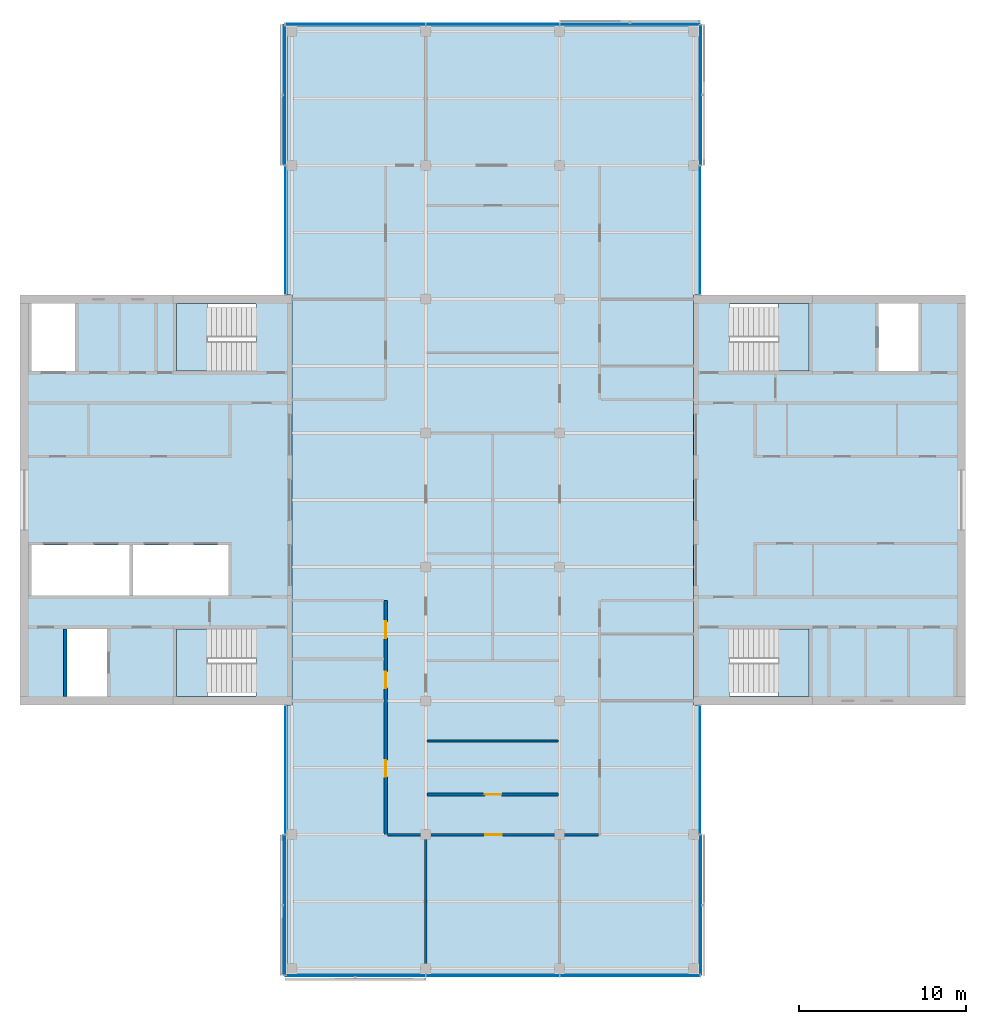
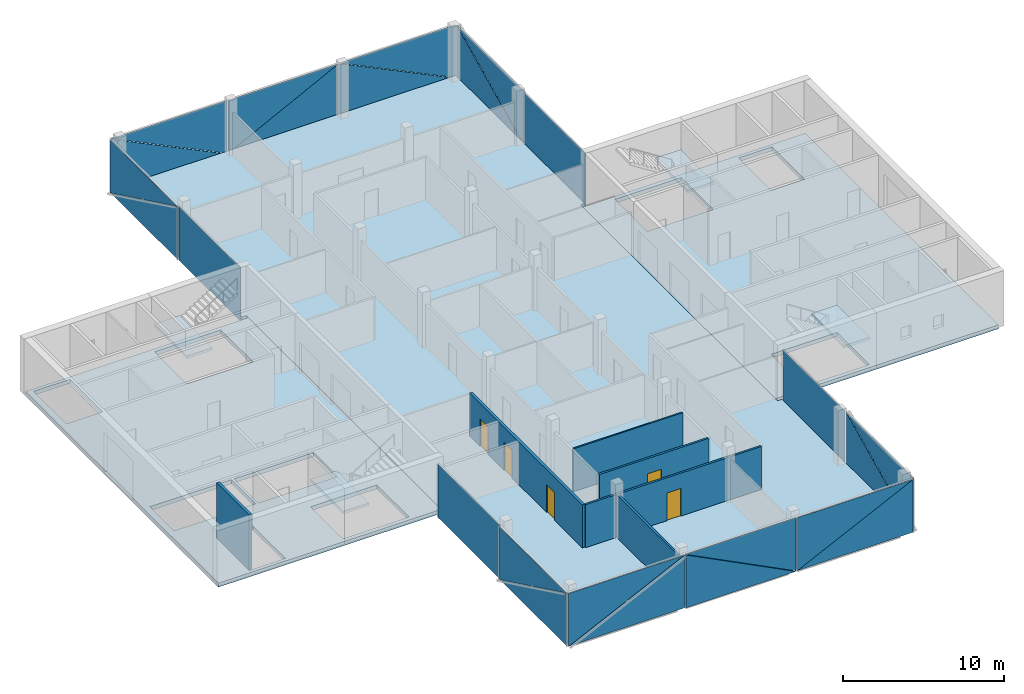
# One storey, part 8 of 16: 24 plates, 7 slabs, 6 walls, 5 doors, 5 openings, 14 elements without a shape of their own.
"""IFC4 building model written with IfcOpenShell, lengths in metres."""

from ifc_helpers import new_model, si_unit, direction, frame, frame_2d, origin, place, context, subcontext, project, spatial, polyline, rectangle, outline, extrude, material, layer, layer_set, type_object, element, fill, aggregate, save


model = new_model("IFC4")

# Units and contexts
model_context = context("Model", 3, precision=1e-05, world=origin(), true_north=direction((0.0, 1.0)))
body_context = subcontext(model_context, "Body", "Model", "MODEL_VIEW")
ifc_project = project(units=[si_unit("LENGTHUNIT", "METRE"), si_unit("AREAUNIT", "SQUARE_METRE"), si_unit("VOLUMEUNIT", "CUBIC_METRE"), si_unit("PLANEANGLEUNIT", "RADIAN"), si_unit("MASSUNIT", "GRAM", prefix="KILO")], contexts=[model_context])

# Site, building, storey
site_placement = place(None, origin())
site = spatial("IfcSite", under=ifc_project, at=site_placement, CompositionType="ELEMENT")
building_placement = place(site_placement, origin())
building = spatial("IfcBuilding", under=site, at=building_placement, Name="Crosswind Convention Tower", CompositionType="ELEMENT")
storey_placement = place(building_placement, frame((0.0, 0.0, 299.699951171875)))
storey = spatial("IfcBuildingStorey", under=building, at=storey_placement, Name="L65", CompositionType="ELEMENT", Elevation=299.699951171875)

# Slabs
ifc_material_1 = material(Name="Concrete C40/50", Category="concrete")
ifc_layer_1 = layer(ifc_material_1, 0.300048828125)
ifc_layer_set_1 = layer_set([ifc_layer_1], Name="Concrete C40/50")
slab_type_1 = type_object("IfcSlabType", Name="Composite floor slab 300", PredefinedType="FLOOR", material=ifc_layer_set_1)
slab_1_placement = place(storey_placement, frame((0.0, 0.0, -0.300048828125)))
element("IfcSlab", 1, at=slab_1_placement, inside=storey, type_object=slab_type_1, Name="Floor slab L65", PredefinedType="FLOOR", context=body_context, shape_type="SweptSolid", body=[
    extrude(outline(polyline([(137.300048828125, 71.699951171875), (137.0, 71.699951171875), (113.0, 71.699951171875), (112.699951171875, 71.699951171875), (112.699951171875, 72.0), (112.699951171875, 87.75), (113.0, 87.75), (113.0, 112.25), (112.699951171875, 112.25), (112.699951171875, 128.0), (112.699951171875, 128.300048828125), (113.0, 128.300048828125), (137.0, 128.300048828125), (137.300048828125, 128.300048828125), (137.300048828125, 128.0), (137.300048828125, 112.25), (137.0, 112.25), (137.0, 87.75), (137.300048828125, 87.75), (137.300048828125, 72.0), (137.300048828125, 71.699951171875)])), origin(), (0.0, 0.0, 1.0), 0.300048828125),
])
ifc_layer_2 = layer(ifc_material_1, 0.300048828125)
ifc_layer_set_2 = layer_set([ifc_layer_2], Name="Concrete C40/50")
slab_type_2 = type_object("IfcSlabType", Name="Concrete core floor slab 300", PredefinedType="FLOOR", material=ifc_layer_set_2)
slab_2_placement = place(storey_placement, frame((0.0, 0.0, -0.300048828125)))
element("IfcSlab", 2, at=slab_2_placement, inside=storey, type_object=slab_type_2, Name="Core floor slab E L65", PredefinedType="FLOOR", context=body_context, shape_type="SweptSolid", body=[
    extrude(outline(polyline([(137.0, 88.0), (153.0, 88.0), (153.0, 112.0), (137.0, 112.0), (137.0, 88.0)]), holes=[polyline([(150.449951171875, 107.699951171875), (150.449951171875, 111.75), (148.050048828125, 111.75), (148.050048828125, 107.699951171875), (150.449951171875, 107.699951171875)]), polyline([(143.89990234375, 107.699951171875), (143.89990234375, 111.699951171875), (139.14990234375, 111.699951171875), (139.14990234375, 107.699951171875), (143.89990234375, 107.699951171875)]), polyline([(143.89990234375, 88.300048828125), (143.89990234375, 92.300048828125), (139.14990234375, 92.300048828125), (139.14990234375, 88.300048828125), (143.89990234375, 88.300048828125)])]), origin(), (0.0, 0.0, 1.0), 0.300048828125),
])
slab_3_placement = place(storey_placement, frame((0.0, 0.0, -0.300048828125)))
element("IfcSlab", 3, at=slab_3_placement, inside=storey, type_object=slab_type_2, Name="Core floor slab W L65", PredefinedType="FLOOR", context=body_context, shape_type="SweptSolid", body=[
    extrude(outline(polyline([(97.0, 88.0), (113.0, 88.0), (113.0, 112.0), (97.0, 112.0), (97.0, 88.0)]), holes=[polyline([(109.199951171875, 94.300048828125), (109.199951171875, 97.300048828125), (103.5, 97.300048828125), (103.5, 94.300048828125), (109.199951171875, 94.300048828125)]), polyline([(103.300048828125, 94.300048828125), (103.300048828125, 97.300048828125), (97.449951171875, 97.300048828125), (97.449951171875, 94.300048828125), (103.300048828125, 94.300048828125)]), polyline([(101.949951171875, 88.25), (101.949951171875, 92.300048828125), (99.550048828125, 92.300048828125), (99.550048828125, 88.25), (101.949951171875, 88.25)]), polyline([(100.050048828125, 107.699951171875), (100.050048828125, 111.75), (97.449951171875, 111.75), (97.449951171875, 107.699951171875), (100.050048828125, 107.699951171875)]), polyline([(110.85009765625, 88.300048828125), (110.85009765625, 92.300048828125), (106.10009765625, 92.300048828125), (106.10009765625, 88.300048828125), (110.85009765625, 88.300048828125)]), polyline([(110.85009765625, 107.699951171875), (110.85009765625, 111.699951171875), (106.10009765625, 111.699951171875), (106.10009765625, 107.699951171875), (110.85009765625, 107.699951171875)])]), origin(), (0.0, 0.0, 1.0), 0.300048828125),
])

# Stair, slab
stair_type = type_object("IfcStairType", Name="Exit stair 1800 wide, 2 flights of 11 risers", PredefinedType="HALF_TURN_STAIR", material=ifc_material_1)
stair_1_placement = place(storey_placement, origin())
stair_1 = element("IfcStair", 4, at=stair_1_placement, inside=storey, type_object=stair_type, Name="Exit stair ST1 L65", ObjectType="ST5", PredefinedType="HALF_TURN_STAIR")
ifc_layer_3 = layer(ifc_material_1, 0.199951171875)
ifc_layer_set_3 = layer_set([ifc_layer_3], Name="Concrete C40/50")
slab_type_3 = type_object("IfcSlabType", Name="Stair landing 200", PredefinedType="LANDING", material=ifc_layer_set_3)
slab_4_placement = place(storey_placement, frame((0.0, 0.0, 1.900146484375)))
slab_4 = element("IfcSlab", 5, at=slab_4_placement, type_object=slab_type_3, Name="ST1 landing 1", PredefinedType="LANDING", context=body_context, shape_type="SweptSolid", body=[
    extrude(outline(polyline([(143.89990234375, 107.699951171875), (143.89990234375, 111.75), (142.050048828125, 111.75), (142.050048828125, 107.699951171875), (143.89990234375, 107.699951171875)])), origin(), (0.0, 0.0, 1.0), 0.199951171875),
])
aggregate(stair_1, [slab_4])

stair_2_placement = place(storey_placement, origin())
stair_2 = element("IfcStair", 6, at=stair_2_placement, inside=storey, type_object=stair_type, Name="Exit stair ST2 L65", ObjectType="ST5", PredefinedType="HALF_TURN_STAIR")
slab_5_placement = place(storey_placement, frame((0.0, 0.0, 1.900146484375)))
slab_5 = element("IfcSlab", 7, at=slab_5_placement, type_object=slab_type_3, Name="ST2 landing 1", PredefinedType="LANDING", context=body_context, shape_type="SweptSolid", body=[
    extrude(outline(polyline([(143.89990234375, 88.25), (143.89990234375, 92.300048828125), (142.050048828125, 92.300048828125), (142.050048828125, 88.25), (143.89990234375, 88.25)])), origin(), (0.0, 0.0, 1.0), 0.199951171875),
])
aggregate(stair_2, [slab_5])

stair_3_placement = place(storey_placement, origin())
stair_3 = element("IfcStair", 8, at=stair_3_placement, inside=storey, type_object=stair_type, Name="Exit stair ST3 L65", ObjectType="ST5", PredefinedType="HALF_TURN_STAIR")
slab_6_placement = place(storey_placement, frame((0.0, 0.0, 1.900146484375)))
slab_6 = element("IfcSlab", 9, at=slab_6_placement, type_object=slab_type_3, Name="ST3 landing 1", PredefinedType="LANDING", context=body_context, shape_type="SweptSolid", body=[
    extrude(outline(polyline([(107.949951171875, 88.25), (107.949951171875, 92.300048828125), (106.10009765625, 92.300048828125), (106.10009765625, 88.25), (107.949951171875, 88.25)])), origin(), (0.0, 0.0, 1.0), 0.199951171875),
])
aggregate(stair_3, [slab_6])

stair_4_placement = place(storey_placement, origin())
stair_4 = element("IfcStair", 10, at=stair_4_placement, inside=storey, type_object=stair_type, Name="Exit stair ST4 L65", ObjectType="ST5", PredefinedType="HALF_TURN_STAIR")
slab_7_placement = place(storey_placement, frame((0.0, 0.0, 1.900146484375)))
slab_7 = element("IfcSlab", 11, at=slab_7_placement, type_object=slab_type_3, Name="ST4 landing 1", PredefinedType="LANDING", context=body_context, shape_type="SweptSolid", body=[
    extrude(outline(polyline([(107.949951171875, 107.699951171875), (107.949951171875, 111.75), (106.10009765625, 111.75), (106.10009765625, 107.699951171875), (107.949951171875, 107.699951171875)])), origin(), (0.0, 0.0, 1.0), 0.199951171875),
])
aggregate(stair_4, [slab_7])

# Curtain wall, plate
ifc_material_2 = material(Name="Aluminium unitised curtain wall", Category="aluminium")
curtain_wall_type_1 = type_object("IfcCurtainWallType", Name="CORE END SLOT WALL 160", PredefinedType="USERDEFINED", material=ifc_material_2)
curtain_wall_1_placement = place(storey_placement, origin())
curtain_wall_1 = element("IfcCurtainWall", 12, at=curtain_wall_1_placement, inside=storey, type_object=curtain_wall_type_1, Name="CW6 L65 N-E.1-1 slot", ObjectType="UNITISED", PredefinedType="USERDEFINED")
ifc_material_3 = material(Name="Laminated insulating glass unit", Category="glass")
ifc_layer_4 = layer(ifc_material_3, 0.02587890625)
ifc_layer_set_4 = layer_set([ifc_layer_4], Name="TRIANGULAR GLASS PANEL 26")
plate_type_1 = type_object("IfcPlateType", Name="TRIANGULAR GLASS PANEL 26", PredefinedType="CURTAIN_PANEL", material=ifc_layer_set_4)
plate_1_placement = place(storey_placement, frame((137.40673828125, 112.300048828125, -0.300048828125), z_axis=(0.999999934592, 0.0, 0.000361685431), x_axis=(0.0, 1.0, 0.0)))
plate_1 = element("IfcPlate", 13, at=plate_1_placement, type_object=plate_type_1, Name="CW6 panel 1.1", PredefinedType="CURTAIN_PANEL", context=body_context, shape_type="SweptSolid", body=[
    extrude(outline(polyline([(0.0, 0.0), (7.64990234375, 0.0), (7.64990234375, 4.050049093031331), (0.0, 4.050049093031331), (0.0, 0.0)])), origin(), (0.0, 0.0, -1.0), 0.02587890625),
])
aggregate(curtain_wall_1, [plate_1])

curtain_wall_2_placement = place(storey_placement, origin())
curtain_wall_2 = element("IfcCurtainWall", 14, at=curtain_wall_2_placement, inside=storey, type_object=curtain_wall_type_1, Name="CW6 L65 N-W.1-2 slot", ObjectType="UNITISED", PredefinedType="USERDEFINED")
plate_2_placement = place(storey_placement, frame((112.59326171875, 119.949951171875, -0.300048828125), z_axis=(-0.999999934592, 0.0, 0.000361685431), x_axis=(0.0, -1.0, 0.0)))
plate_2 = element("IfcPlate", 15, at=plate_2_placement, type_object=plate_type_1, Name="CW6 panel 1.1", PredefinedType="CURTAIN_PANEL", context=body_context, shape_type="SweptSolid", body=[
    extrude(outline(polyline([(0.0, 0.0), (7.64990234375, 0.0), (7.64990234375, 4.050049093031331), (0.0, 4.050049093031331), (0.0, 0.0)])), origin(), (0.0, 0.0, -1.0), 0.02587890625),
])
aggregate(curtain_wall_2, [plate_2])

curtain_wall_3_placement = place(storey_placement, origin())
curtain_wall_3 = element("IfcCurtainWall", 16, at=curtain_wall_3_placement, inside=storey, type_object=curtain_wall_type_1, Name="CW6 L65 S-W.1-1 slot", ObjectType="UNITISED", PredefinedType="USERDEFINED")
plate_3_placement = place(storey_placement, frame((112.59326171875, 87.699951171875, -0.300048828125), z_axis=(-0.999999934592, 0.0, 0.000361685431), x_axis=(0.0, -1.0, 0.0)))
plate_3 = element("IfcPlate", 17, at=plate_3_placement, type_object=plate_type_1, Name="CW6 panel 1.1", PredefinedType="CURTAIN_PANEL", context=body_context, shape_type="SweptSolid", body=[
    extrude(outline(polyline([(0.0, 0.0), (7.64990234375, 0.0), (7.64990234375, 4.050049093031331), (0.0, 4.050049093031331), (0.0, 0.0)])), origin(), (0.0, 0.0, -1.0), 0.02587890625),
])
aggregate(curtain_wall_3, [plate_3])

curtain_wall_4_placement = place(storey_placement, origin())
curtain_wall_4 = element("IfcCurtainWall", 18, at=curtain_wall_4_placement, inside=storey, type_object=curtain_wall_type_1, Name="CW6 L65 S-E.1-2 slot", ObjectType="UNITISED", PredefinedType="USERDEFINED")
plate_4_placement = place(storey_placement, frame((137.40673828125, 80.050048828125, -0.300048828125), z_axis=(0.999999934592, 0.0, 0.000361685431), x_axis=(0.0, 1.0, 0.0)))
plate_4 = element("IfcPlate", 19, at=plate_4_placement, type_object=plate_type_1, Name="CW6 panel 1.1", PredefinedType="CURTAIN_PANEL", context=body_context, shape_type="SweptSolid", body=[
    extrude(outline(polyline([(0.0, 0.0), (7.64990234375, 0.0), (7.64990234375, 4.050049093031331), (0.0, 4.050049093031331), (0.0, 0.0)])), origin(), (0.0, 0.0, -1.0), 0.02587890625),
])
aggregate(curtain_wall_4, [plate_4])

# Curtain wall, plates
curtain_wall_type_2 = type_object("IfcCurtainWallType", Name="OFFICE UNITISED WALL 220", PredefinedType="USERDEFINED", material=ifc_material_2)
curtain_wall_5_placement = place(storey_placement, origin())
curtain_wall_5 = element("IfcCurtainWall", 20, at=curtain_wall_5_placement, inside=storey, type_object=curtain_wall_type_2, Name="CW3 L65 N-E 1", ObjectType="UNITISED", PredefinedType="USERDEFINED")
ifc_layer_5 = layer(ifc_material_3, 0.031982421875)
ifc_layer_set_5 = layer_set([ifc_layer_5], Name="TRIANGULAR GLASS PANEL 32")
plate_type_2 = type_object("IfcPlateType", Name="TRIANGULAR GLASS PANEL 32", PredefinedType="CURTAIN_PANEL", material=ifc_layer_set_5)
plate_5_placement = place(storey_placement, frame((137.44287109375, 128.375, -0.300048828125), z_axis=(0.999999909593, 0.0, 0.000425221684), x_axis=(-0.000425221684, 0.0, 0.999999909593)))
plate_5 = element("IfcPlate", 21, at=plate_5_placement, type_object=plate_type_2, Name="CW3 panel 1.1", PredefinedType="CURTAIN_PANEL", context=body_context, shape_type="SweptSolid", body=[
    extrude(outline(polyline([(0.0, 0.0), (4.019043332098624, 0.0), (0.0, 8.316894531250002), (0.0, 0.0)])), origin(), (0.0, 0.0, -1.0), 0.031982421875),
])
plate_6_placement = place(storey_placement, frame((137.47509765625, 120.034912109375, 3.72998046875), z_axis=(0.999999909582, 0.0, 0.000425247516), x_axis=(0.000425247516, 0.0, -0.999999909582)))
plate_6 = element("IfcPlate", 22, at=plate_6_placement, type_object=plate_type_2, Name="CW3 panel 1.2", PredefinedType="CURTAIN_PANEL", context=body_context, shape_type="SweptSolid", body=[
    extrude(outline(polyline([(0.0, 0.0), (4.018799191495697, 0.0), (0.0, 8.317138671875), (0.0, 0.0)])), origin(), (0.0, 0.0, -1.0), 0.031982421875),
])
aggregate(curtain_wall_5, [plate_5, plate_6])

curtain_wall_6_placement = place(storey_placement, origin())
curtain_wall_6 = element("IfcCurtainWall", 23, at=curtain_wall_6_placement, inside=storey, type_object=curtain_wall_type_2, Name="CW3 L65 N-TIP 1", ObjectType="UNITISED", PredefinedType="USERDEFINED")
plate_7_placement = place(storey_placement, frame((129.034912109375, 128.44287109375, -0.300048828125), z_axis=(0.0, 0.999999909593, 0.000425221684), x_axis=(0.0, -0.000425221684, 0.999999909593)))
plate_7 = element("IfcPlate", 24, at=plate_7_placement, type_object=plate_type_2, Name="CW3 panel 1.1", PredefinedType="CURTAIN_PANEL", context=body_context, shape_type="SweptSolid", body=[
    extrude(outline(polyline([(0.0, 0.0), (4.019043332098624, 0.0), (0.0, 8.317138671875), (0.0, 0.0)])), origin(), (0.0, 0.0, -1.0), 0.031982421875),
])
plate_8_placement = place(storey_placement, frame((137.375, 128.47509765625, 3.72998046875), z_axis=(0.0, 0.999999909582, 0.000425247516), x_axis=(0.0, 0.000425247516, -0.999999909582)))
plate_8 = element("IfcPlate", 25, at=plate_8_placement, type_object=plate_type_2, Name="CW3 panel 1.2", PredefinedType="CURTAIN_PANEL", context=body_context, shape_type="SweptSolid", body=[
    extrude(outline(polyline([(0.0, 0.0), (4.018799191495697, 0.0), (0.0, 8.31689453125), (0.0, 0.0)])), origin(), (0.0, 0.0, -1.0), 0.031982421875),
])
plate_9_placement = place(storey_placement, frame((121.034912109375, 128.441162109375, 3.72998046875), z_axis=(0.0, 0.999999909582, 0.000425247516), x_axis=(1.0, 0.0, 0.0)))
plate_9 = element("IfcPlate", 26, at=plate_9_placement, type_object=plate_type_2, Name="CW3 panel 2.1", PredefinedType="CURTAIN_PANEL", context=body_context, shape_type="SweptSolid", body=[
    extrude(outline(polyline([(0.0, 0.0), (7.907958984375, 0.0), (0.0, 4.018799191495697), (0.0, 0.0)])), origin(), (0.0, 0.0, -1.0), 0.031982421875),
])
plate_10_placement = place(storey_placement, frame((128.965087890625, 128.476806640625, -0.300048828125), z_axis=(0.0, 0.999999909582, 0.000425247516), x_axis=(-1.0, 0.0, 0.0)))
plate_10 = element("IfcPlate", 27, at=plate_10_placement, type_object=plate_type_2, Name="CW3 panel 2.2", PredefinedType="CURTAIN_PANEL", context=body_context, shape_type="SweptSolid", body=[
    extrude(outline(polyline([(0.0, 0.0), (7.907958984375, 0.0), (0.0, 4.018799191495697), (0.0, 0.0)])), origin(), (0.0, 0.0, -1.0), 0.031982421875),
])
plate_11_placement = place(storey_placement, frame((112.625, 128.44287109375, -0.300048828125), z_axis=(0.0, 0.999999909593, 0.000425221684), x_axis=(0.0, -0.000425221684, 0.999999909593)))
plate_11 = element("IfcPlate", 28, at=plate_11_placement, type_object=plate_type_2, Name="CW3 panel 3.1", PredefinedType="CURTAIN_PANEL", context=body_context, shape_type="SweptSolid", body=[
    extrude(outline(polyline([(0.0, 0.0), (4.019043332098624, 0.0), (0.0, 8.316894531250002), (0.0, 0.0)])), origin(), (0.0, 0.0, -1.0), 0.031982421875),
])
plate_12_placement = place(storey_placement, frame((120.965087890625, 128.47509765625, 3.72998046875), z_axis=(0.0, 0.999999909582, 0.000425247516), x_axis=(0.0, 0.000425247516, -0.999999909582)))
plate_12 = element("IfcPlate", 29, at=plate_12_placement, type_object=plate_type_2, Name="CW3 panel 3.2", PredefinedType="CURTAIN_PANEL", context=body_context, shape_type="SweptSolid", body=[
    extrude(outline(polyline([(0.0, 0.0), (4.018799191495697, 0.0), (0.0, 8.317138671875), (0.0, 0.0)])), origin(), (0.0, 0.0, -1.0), 0.031982421875),
])
aggregate(curtain_wall_6, [plate_7, plate_8, plate_9, plate_10, plate_11, plate_12])

curtain_wall_7_placement = place(storey_placement, origin())
curtain_wall_7 = element("IfcCurtainWall", 30, at=curtain_wall_7_placement, inside=storey, type_object=curtain_wall_type_2, Name="CW3 L65 N-W 1", ObjectType="UNITISED", PredefinedType="USERDEFINED")
plate_13_placement = place(storey_placement, frame((112.55712890625, 120.034912109375, -0.300048828125), z_axis=(-0.999999909593, 0.0, 0.000425221684), x_axis=(0.000425221684, 0.0, 0.999999909593)))
plate_13 = element("IfcPlate", 31, at=plate_13_placement, type_object=plate_type_2, Name="CW3 panel 1.1", PredefinedType="CURTAIN_PANEL", context=body_context, shape_type="SweptSolid", body=[
    extrude(outline(polyline([(0.0, 0.0), (4.019043332098624, 0.0), (0.0, 8.317138671875), (0.0, 0.0)])), origin(), (0.0, 0.0, -1.0), 0.031982421875),
])
plate_14_placement = place(storey_placement, frame((112.52490234375, 128.375, 3.72998046875), z_axis=(-0.999999909582, 0.0, 0.000425247516), x_axis=(-0.000425247516, 0.0, -0.999999909582)))
plate_14 = element("IfcPlate", 32, at=plate_14_placement, type_object=plate_type_2, Name="CW3 panel 1.2", PredefinedType="CURTAIN_PANEL", context=body_context, shape_type="SweptSolid", body=[
    extrude(outline(polyline([(0.0, 0.0), (4.018799191495697, 0.0), (0.0, 8.31689453125), (0.0, 0.0)])), origin(), (0.0, 0.0, -1.0), 0.031982421875),
])
aggregate(curtain_wall_7, [plate_13, plate_14])

curtain_wall_8_placement = place(storey_placement, origin())
curtain_wall_8 = element("IfcCurtainWall", 33, at=curtain_wall_8_placement, inside=storey, type_object=curtain_wall_type_2, Name="CW3 L65 S-W 1", ObjectType="UNITISED", PredefinedType="USERDEFINED")
plate_15_placement = place(storey_placement, frame((112.55712890625, 71.625, -0.300048828125), z_axis=(-0.999999909593, 0.0, 0.000425221684), x_axis=(0.000425221684, 0.0, 0.999999909593)))
plate_15 = element("IfcPlate", 34, at=plate_15_placement, type_object=plate_type_2, Name="CW3 panel 1.1", PredefinedType="CURTAIN_PANEL", context=body_context, shape_type="SweptSolid", body=[
    extrude(outline(polyline([(0.0, 0.0), (4.019043332098624, 0.0), (0.0, 8.316894531250002), (0.0, 0.0)])), origin(), (0.0, 0.0, -1.0), 0.031982421875),
])
plate_16_placement = place(storey_placement, frame((112.52490234375, 79.965087890625, 3.72998046875), z_axis=(-0.999999909582, 0.0, 0.000425247516), x_axis=(-0.000425247516, 0.0, -0.999999909582)))
plate_16 = element("IfcPlate", 35, at=plate_16_placement, type_object=plate_type_2, Name="CW3 panel 1.2", PredefinedType="CURTAIN_PANEL", context=body_context, shape_type="SweptSolid", body=[
    extrude(outline(polyline([(0.0, 0.0), (4.018799191495697, 0.0), (0.0, 8.317138671875), (0.0, 0.0)])), origin(), (0.0, 0.0, -1.0), 0.031982421875),
])
aggregate(curtain_wall_8, [plate_15, plate_16])

curtain_wall_9_placement = place(storey_placement, origin())
curtain_wall_9 = element("IfcCurtainWall", 36, at=curtain_wall_9_placement, inside=storey, type_object=curtain_wall_type_2, Name="CW3 L65 S-TIP 1", ObjectType="UNITISED", PredefinedType="USERDEFINED")
plate_17_placement = place(storey_placement, frame((120.965087890625, 71.55712890625, -0.300048828125), z_axis=(0.0, -0.999999909593, 0.000425221684), x_axis=(0.0, 0.000425221684, 0.999999909593)))
plate_17 = element("IfcPlate", 37, at=plate_17_placement, type_object=plate_type_2, Name="CW3 panel 1.1", PredefinedType="CURTAIN_PANEL", context=body_context, shape_type="SweptSolid", body=[
    extrude(outline(polyline([(0.0, 0.0), (4.019043332098624, 0.0), (0.0, 8.317138671875), (0.0, 0.0)])), origin(), (0.0, 0.0, -1.0), 0.031982421875),
])
plate_18_placement = place(storey_placement, frame((112.625, 71.52490234375, 3.72998046875), z_axis=(0.0, -0.999999909582, 0.000425247516), x_axis=(0.0, -0.000425247516, -0.999999909582)))
plate_18 = element("IfcPlate", 38, at=plate_18_placement, type_object=plate_type_2, Name="CW3 panel 1.2", PredefinedType="CURTAIN_PANEL", context=body_context, shape_type="SweptSolid", body=[
    extrude(outline(polyline([(0.0, 0.0), (4.018799191495697, 0.0), (0.0, 8.31689453125), (0.0, 0.0)])), origin(), (0.0, 0.0, -1.0), 0.031982421875),
])
plate_19_placement = place(storey_placement, frame((128.965087890625, 71.558837890625, 3.72998046875), z_axis=(0.0, -0.999999909582, 0.000425247516), x_axis=(-1.0, 0.0, 0.0)))
plate_19 = element("IfcPlate", 39, at=plate_19_placement, type_object=plate_type_2, Name="CW3 panel 2.1", PredefinedType="CURTAIN_PANEL", context=body_context, shape_type="SweptSolid", body=[
    extrude(outline(polyline([(0.0, 0.0), (7.907958984375, 0.0), (0.0, 4.018799191495697), (0.0, 0.0)])), origin(), (0.0, 0.0, -1.0), 0.031982421875),
])
plate_20_placement = place(storey_placement, frame((121.034912109375, 71.523193359375, -0.300048828125), z_axis=(0.0, -0.999999909582, 0.000425247516), x_axis=(1.0, 0.0, 0.0)))
plate_20 = element("IfcPlate", 40, at=plate_20_placement, type_object=plate_type_2, Name="CW3 panel 2.2", PredefinedType="CURTAIN_PANEL", context=body_context, shape_type="SweptSolid", body=[
    extrude(outline(polyline([(0.0, 0.0), (7.907958984375, 0.0), (0.0, 4.018799191495697), (0.0, 0.0)])), origin(), (0.0, 0.0, -1.0), 0.031982421875),
])
plate_21_placement = place(storey_placement, frame((137.375, 71.55712890625, -0.300048828125), z_axis=(0.0, -0.999999909593, 0.000425221684), x_axis=(0.0, 0.000425221684, 0.999999909593)))
plate_21 = element("IfcPlate", 41, at=plate_21_placement, type_object=plate_type_2, Name="CW3 panel 3.1", PredefinedType="CURTAIN_PANEL", context=body_context, shape_type="SweptSolid", body=[
    extrude(outline(polyline([(0.0, 0.0), (4.019043332098624, 0.0), (0.0, 8.316894531250002), (0.0, 0.0)])), origin(), (0.0, 0.0, -1.0), 0.031982421875),
])
plate_22_placement = place(storey_placement, frame((129.034912109375, 71.52490234375, 3.72998046875), z_axis=(0.0, -0.999999909582, 0.000425247516), x_axis=(0.0, -0.000425247516, -0.999999909582)))
plate_22 = element("IfcPlate", 42, at=plate_22_placement, type_object=plate_type_2, Name="CW3 panel 3.2", PredefinedType="CURTAIN_PANEL", context=body_context, shape_type="SweptSolid", body=[
    extrude(outline(polyline([(0.0, 0.0), (4.018799191495697, 0.0), (0.0, 8.317138671875), (0.0, 0.0)])), origin(), (0.0, 0.0, -1.0), 0.031982421875),
])
aggregate(curtain_wall_9, [plate_17, plate_18, plate_19, plate_20, plate_21, plate_22])

curtain_wall_10_placement = place(storey_placement, origin())
curtain_wall_10 = element("IfcCurtainWall", 43, at=curtain_wall_10_placement, inside=storey, type_object=curtain_wall_type_2, Name="CW3 L65 S-E 1", ObjectType="UNITISED", PredefinedType="USERDEFINED")
plate_23_placement = place(storey_placement, frame((137.44287109375, 79.965087890625, -0.300048828125), z_axis=(0.999999909593, 0.0, 0.000425221684), x_axis=(-0.000425221684, 0.0, 0.999999909593)))
plate_23 = element("IfcPlate", 44, at=plate_23_placement, type_object=plate_type_2, Name="CW3 panel 1.1", PredefinedType="CURTAIN_PANEL", context=body_context, shape_type="SweptSolid", body=[
    extrude(outline(polyline([(0.0, 0.0), (4.019043332098624, 0.0), (0.0, 8.317138671875), (0.0, 0.0)])), origin(), (0.0, 0.0, -1.0), 0.031982421875),
])
plate_24_placement = place(storey_placement, frame((137.47509765625, 71.625, 3.72998046875), z_axis=(0.999999909582, 0.0, 0.000425247516), x_axis=(0.000425247516, 0.0, -0.999999909582)))
plate_24 = element("IfcPlate", 45, at=plate_24_placement, type_object=plate_type_2, Name="CW3 panel 1.2", PredefinedType="CURTAIN_PANEL", context=body_context, shape_type="SweptSolid", body=[
    extrude(outline(polyline([(0.0, 0.0), (4.018799191495697, 0.0), (0.0, 8.31689453125), (0.0, 0.0)])), origin(), (0.0, 0.0, -1.0), 0.031982421875),
])
aggregate(curtain_wall_10, [plate_23, plate_24])

# Wall, openings, doors
ifc_material_4 = material(Name="Concrete blockwork", Category="masonry")
ifc_layer_6 = layer(ifc_material_4, 0.199951171875)
ifc_layer_set_6 = layer_set([ifc_layer_6], Name="COMPARTMENT WALL 200 BLOCKWORK")
wall_type_1 = type_object("IfcWallType", Name="COMPARTMENT WALL 200 BLOCKWORK", PredefinedType="SOLIDWALL", material=ifc_layer_set_6)
wall_1_placement = place(storey_placement, frame((118.60009765625, 80.0, 0.0), z_axis=(0.0, 0.0, 1.0), x_axis=(0.0, 1.0, 0.0)))
wall_1 = element("IfcWall", 46, at=wall_1_placement, inside=storey, type_object=wall_type_1, Name="Compartment wall WT42", PredefinedType="SOLIDWALL", context=body_context, shape_type="SweptSolid", body=[
    extrude(rectangle(XDim=14.0, YDim=0.199951171875, at=frame_2d((7.0, 0.0))), origin(), (0.0, 0.0, 1.0), 3.25537109375),
])
opening_1_placement = place(wall_1_placement, frame((11.75, 0.0, 0.0)))
opening_1 = element("IfcOpeningElement", 47, at=opening_1_placement, cuts=wall_1, Name="Opening L65-58", PredefinedType="OPENING", context=body_context, shape_type="SweptSolid", body=[
    extrude(rectangle(XDim=1.0, YDim=2.10009765625, at=frame_2d((0.5, 1.050048828125))), frame((0.0, 0.10986328125, 0.0), z_axis=(0.0, -1.0, 0.0), x_axis=(1.0, 0.0, 0.0)), (0.0, 0.0, 1.0), 0.219970703125),
])
opening_2_placement = place(wall_1_placement, frame((8.75, 0.0, 0.0)))
opening_2 = element("IfcOpeningElement", 48, at=opening_2_placement, cuts=wall_1, Name="Opening L65-59", PredefinedType="OPENING", context=body_context, shape_type="SweptSolid", body=[
    extrude(rectangle(XDim=1.0, YDim=2.10009765625, at=frame_2d((0.5, 1.050048828125))), frame((0.0, 0.10986328125, 0.0), z_axis=(0.0, -1.0, 0.0), x_axis=(1.0, 0.0, 0.0)), (0.0, 0.0, 1.0), 0.219970703125),
])
opening_3_placement = place(wall_1_placement, frame((3.449951171875, 0.0, 0.0)))
opening_3 = element("IfcOpeningElement", 49, at=opening_3_placement, cuts=wall_1, Name="Opening L65-60", PredefinedType="OPENING", context=body_context, shape_type="SweptSolid", body=[
    extrude(rectangle(XDim=1.0, YDim=2.10009765625, at=frame_2d((0.5, 1.050048828125))), frame((0.0, 0.10986328125, 0.0), z_axis=(0.0, -1.0, 0.0), x_axis=(1.0, 0.0, 0.0)), (0.0, 0.0, 1.0), 0.219970703125),
])
ifc_material_5 = material(Name="Steel fire door", Category="steel")
door_type_1 = type_object("IfcDoorType", Name="PLANT ROOM DOOR 1000X2100 FD60", OperationType="NOTDEFINED", PredefinedType="DOOR", material=ifc_material_5)
door_1_placement = place(opening_2_placement, origin())
door_1 = element("IfcDoor", 50, at=door_1_placement, inside=storey, type_object=door_type_1, Name="Door L65-59", ObjectType="D43", OperationType="SINGLE_SWING_RIGHT", OverallHeight=2.10009765625, OverallWidth=1.0, PredefinedType="DOOR", context=body_context, shape_type="SweptSolid", body=[
    extrude(rectangle(XDim=1.0, YDim=2.10009765625, at=frame_2d((0.5, 1.050048828125))), frame((0.0, 0.02490234375, 0.0), z_axis=(0.0, -1.0, 0.0), x_axis=(1.0, 0.0, 0.0)), (0.0, 0.0, 1.0), 0.050048828125),
])
fill(opening_2, door_1)
ifc_material_6 = material(Name="Timber fire door", Category="wood")
door_type_2 = type_object("IfcDoorType", Name="TENANCY ENTRANCE DOOR 1000X2100 FD30S", OperationType="NOTDEFINED", PredefinedType="DOOR", material=ifc_material_6)
door_2_placement = place(opening_1_placement, origin())
door_2 = element("IfcDoor", 51, at=door_2_placement, inside=storey, type_object=door_type_2, Name="Door L65-58", ObjectType="D41", OperationType="SINGLE_SWING_RIGHT", OverallHeight=2.10009765625, OverallWidth=1.0, PredefinedType="DOOR", context=body_context, shape_type="SweptSolid", body=[
    extrude(rectangle(XDim=1.0, YDim=2.10009765625, at=frame_2d((0.5, 1.050048828125))), frame((0.0, 0.02490234375, 0.0), z_axis=(0.0, -1.0, 0.0), x_axis=(1.0, 0.0, 0.0)), (0.0, 0.0, 1.0), 0.050048828125),
])
fill(opening_1, door_2)
door_3_placement = place(opening_3_placement, origin())
door_3 = element("IfcDoor", 52, at=door_3_placement, inside=storey, type_object=door_type_2, Name="Door L65-60", ObjectType="D41", OperationType="SINGLE_SWING_RIGHT", OverallHeight=2.10009765625, OverallWidth=1.0, PredefinedType="DOOR", context=body_context, shape_type="SweptSolid", body=[
    extrude(rectangle(XDim=1.0, YDim=2.10009765625, at=frame_2d((0.5, 1.050048828125))), frame((0.0, 0.02490234375, 0.0), z_axis=(0.0, -1.0, 0.0), x_axis=(1.0, 0.0, 0.0)), (0.0, 0.0, 1.0), 0.050048828125),
])
fill(opening_3, door_3)

# Walls
ifc_material_7 = material(Name="Concrete C50/60", Category="concrete")
ifc_layer_7 = layer(ifc_material_7, 0.199951171875)
ifc_layer_set_7 = layer_set([ifc_layer_7], Name="Concrete C50/60")
wall_type_2 = type_object("IfcWallType", Name="Concrete shaft and stair wall 200", PredefinedType="SHEAR", material=ifc_layer_set_7)
wall_2_placement = place(storey_placement, frame((99.449951171875, 92.300048828125, 0.0), z_axis=(0.0, 0.0, 1.0), x_axis=(0.0, -1.0, 0.0)))
element("IfcWall", 53, at=wall_2_placement, inside=storey, type_object=wall_type_2, Name="Wall PFSE W L65", PredefinedType="SHEAR", context=body_context, shape_type="SweptSolid", body=[
    extrude(rectangle(XDim=4.050048828125, YDim=0.199951171875, at=frame_2d((2.02490234375, 0.0))), origin(), (0.0, 0.0, 1.0), 4.199951171875),
])
ifc_material_8 = material(Name="Plasterboard partition", Category="gypsum")
ifc_layer_8 = layer(ifc_material_8, 0.10009765625)
ifc_layer_set_8 = layer_set([ifc_layer_8], Name="PARTITION 100 METAL STUD")
wall_type_3 = type_object("IfcWallType", Name="PARTITION 100 METAL STUD", PredefinedType="PARTITIONING", material=ifc_layer_set_8)
wall_3_placement = place(storey_placement, frame((121.074951171875, 85.60009765625, 0.0), z_axis=(0.0, 0.0, 1.0), x_axis=(1.0, 0.0, 0.0)))
element("IfcWall", 54, at=wall_3_placement, inside=storey, type_object=wall_type_3, Name="Partition wall WT40", PredefinedType="PARTITIONING", context=body_context, shape_type="SweptSolid", body=[
    extrude(rectangle(XDim=7.85009765625, YDim=0.10009765625, at=frame_2d((3.925048828125, 0.0))), origin(), (0.0, 0.0, 1.0), 3.25537109375),
])
ifc_material_9 = material(Name="Fire-board partition with mineral wool", Category="gypsum")
ifc_layer_9 = layer(ifc_material_9, 0.14990234375)
ifc_layer_set_9 = layer_set([ifc_layer_9], Name="TENANCY WALL 150 TWO-HOUR BOARD")
wall_type_4 = type_object("IfcWallType", Name="TENANCY WALL 150 TWO-HOUR BOARD", PredefinedType="PARTITIONING", material=ifc_layer_set_9)
wall_4_placement = place(storey_placement, frame((121.0, 71.780029296875, 0.0), z_axis=(0.0, 0.0, 1.0), x_axis=(0.0, 1.0, 0.0)))
element("IfcWall", 55, at=wall_4_placement, inside=storey, type_object=wall_type_4, Name="Tenancy wall WT41", PredefinedType="PARTITIONING", context=body_context, shape_type="SweptSolid", body=[
    extrude(rectangle(XDim=8.14501953125, YDim=0.14990234375, at=frame_2d((4.072509765625, 0.0))), origin(), (0.0, 0.0, 1.0), 3.25537109375),
])

# Wall, opening, door
wall_5_placement = place(storey_placement, frame((118.699951171875, 80.0, 0.0), z_axis=(0.0, 0.0, 1.0), x_axis=(1.0, 0.0, 0.0)))
wall_5 = element("IfcWall", 56, at=wall_5_placement, inside=storey, type_object=wall_type_4, Name="Tenancy wall WT41", PredefinedType="PARTITIONING", context=body_context, shape_type="SweptSolid", body=[
    extrude(rectangle(XDim=12.625, YDim=0.14990234375, at=frame_2d((6.3125, 0.0))), origin(), (0.0, 0.0, 1.0), 3.25537109375),
])
opening_4_placement = place(wall_5_placement, frame((5.85009765625, 0.0, 0.0)))
opening_4 = element("IfcOpeningElement", 57, at=opening_4_placement, cuts=wall_5, Name="Opening L65-63", PredefinedType="OPENING", context=body_context, shape_type="SweptSolid", body=[
    extrude(rectangle(XDim=1.0, YDim=2.10009765625, at=frame_2d((0.5, 1.050048828125))), frame((0.0, 0.0849609375, 0.0), z_axis=(0.0, -1.0, 0.0), x_axis=(1.0, 0.0, 0.0)), (0.0, 0.0, 1.0), 0.169921875),
])
door_4_placement = place(opening_4_placement, frame((1.0, 0.0, 0.0), z_axis=(0.0, 0.0, 1.0), x_axis=(-1.0, 0.0, 0.0)))
door_4 = element("IfcDoor", 58, at=door_4_placement, inside=storey, type_object=door_type_2, Name="Door L65-63", ObjectType="D41", OperationType="SINGLE_SWING_LEFT", OverallHeight=2.10009765625, OverallWidth=1.0, PredefinedType="DOOR", context=body_context, shape_type="SweptSolid", body=[
    extrude(rectangle(XDim=1.0, YDim=2.10009765625, at=frame_2d((0.5, 1.050048828125))), frame((0.0, 0.02490234375, 0.0), z_axis=(0.0, -1.0, 0.0), x_axis=(1.0, 0.0, 0.0)), (0.0, 0.0, 1.0), 0.050048828125),
])
fill(opening_4, door_4)

wall_6_placement = place(storey_placement, frame((121.074951171875, 82.39990234375, 0.0), z_axis=(0.0, 0.0, 1.0), x_axis=(1.0, 0.0, 0.0)))
wall_6 = element("IfcWall", 59, at=wall_6_placement, inside=storey, type_object=wall_type_4, Name="Tenancy wall WT41", PredefinedType="PARTITIONING", context=body_context, shape_type="SweptSolid", body=[
    extrude(rectangle(XDim=7.85009765625, YDim=0.14990234375, at=frame_2d((3.925048828125, 0.0))), origin(), (0.0, 0.0, 1.0), 3.25537109375),
])
opening_5_placement = place(wall_6_placement, frame((3.449951171875, 0.0, 0.0)))
opening_5 = element("IfcOpeningElement", 60, at=opening_5_placement, cuts=wall_6, Name="Opening L65-64", PredefinedType="OPENING", context=body_context, shape_type="SweptSolid", body=[
    extrude(rectangle(XDim=1.0, YDim=2.10009765625, at=frame_2d((0.5, 1.050048828125))), frame((0.0, 0.0849609375, 0.0), z_axis=(0.0, -1.0, 0.0), x_axis=(1.0, 0.0, 0.0)), (0.0, 0.0, 1.0), 0.169921875),
])
door_5_placement = place(opening_5_placement, origin())
door_5 = element("IfcDoor", 61, at=door_5_placement, inside=storey, type_object=door_type_2, Name="Door L65-64", ObjectType="D41", OperationType="SINGLE_SWING_RIGHT", OverallHeight=2.10009765625, OverallWidth=1.0, PredefinedType="DOOR", context=body_context, shape_type="SweptSolid", body=[
    extrude(rectangle(XDim=1.0, YDim=2.10009765625, at=frame_2d((0.5, 1.050048828125))), frame((0.0, 0.02490234375, 0.0), z_axis=(0.0, -1.0, 0.0), x_axis=(1.0, 0.0, 0.0)), (0.0, 0.0, 1.0), 0.050048828125),
])
fill(opening_5, door_5)

save(model, "model.ifc")
